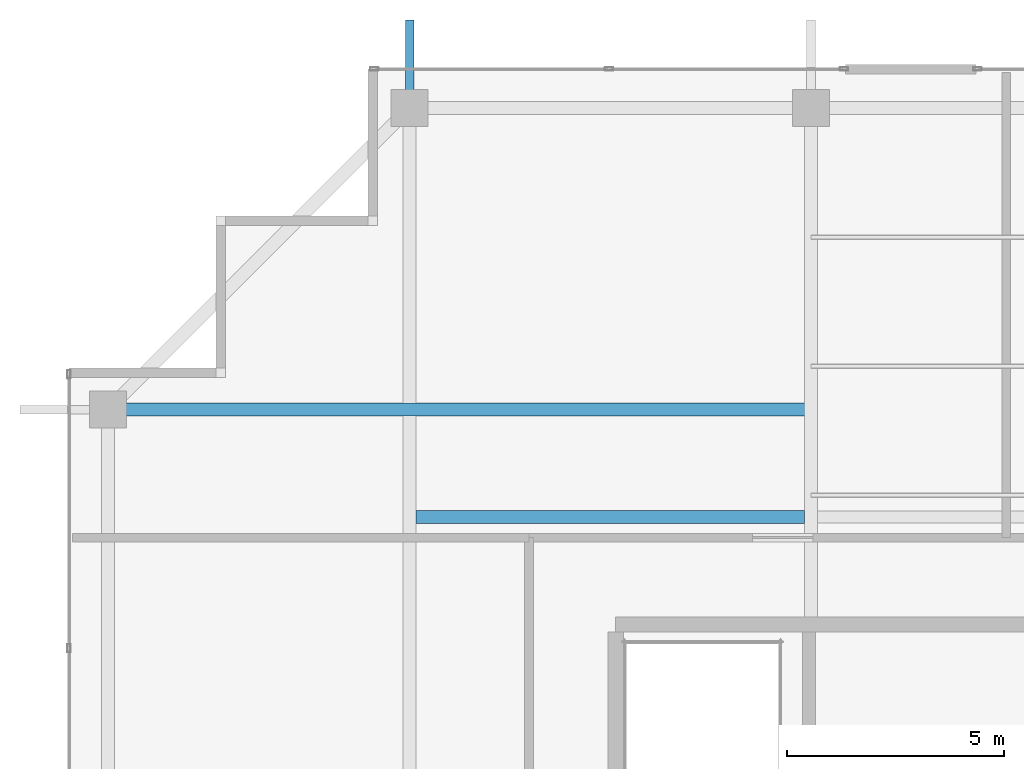
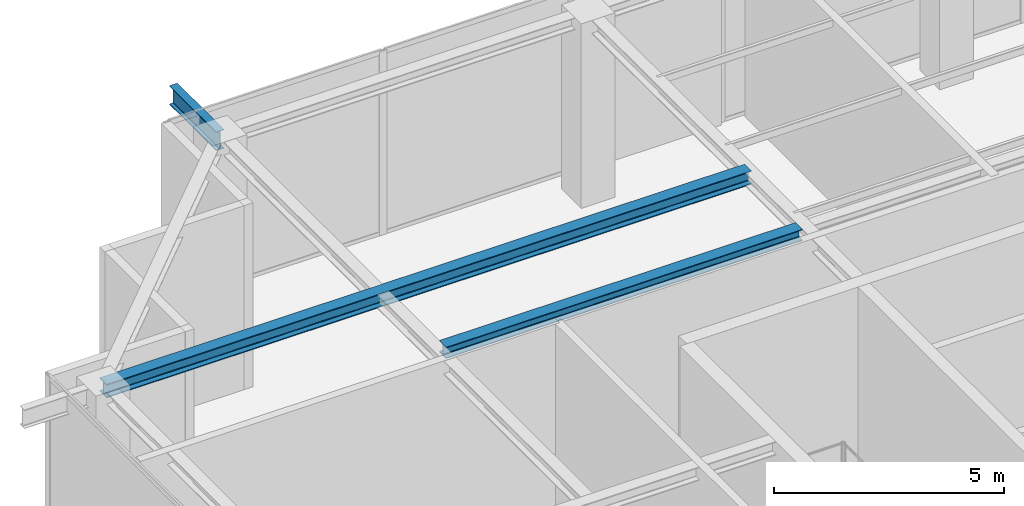
# One storey, part 18 of 27: 3 beams.
"""IFC4 building model written with IfcOpenShell, lengths in metres."""

from ifc_helpers import new_model, si_unit, direction, frame, origin, origin_2d, place, context, subcontext, project, spatial, i_section, extrude, source, transform, mapped, material, material_profile, profile_set, type_object, element, save


model = new_model("IFC4")

# Units and contexts
model_context = context("Model", 3, precision=1e-05, world=origin(), true_north=direction((0.0, 1.0)))
body_context = subcontext(model_context, "Body", "Model", "MODEL_VIEW")
ifc_project = project(units=[si_unit("LENGTHUNIT", "METRE"), si_unit("AREAUNIT", "SQUARE_METRE"), si_unit("VOLUMEUNIT", "CUBIC_METRE"), si_unit("PLANEANGLEUNIT", "RADIAN"), si_unit("MASSUNIT", "GRAM", prefix="KILO")], contexts=[model_context])

# Site, building, storey
site_placement = place(None, origin())
site = spatial("IfcSite", under=ifc_project, at=site_placement, CompositionType="ELEMENT")
building_placement = place(site_placement, origin())
building = spatial("IfcBuilding", under=site, at=building_placement, Name="Serunith Strait Residences", CompositionType="ELEMENT")
storey_placement = place(building_placement, frame((0.0, 0.0, 365.75)))
storey = spatial("IfcBuildingStorey", under=building, at=storey_placement, Name="L89", CompositionType="ELEMENT", Elevation=365.75)

# Beams
ifc_material = material(Name="Steel S355J2", Category="steel")
ifc_material_profile_1 = material_profile(ifc_material, i_section(OverallWidth=0.300048828125, OverallDepth=0.360107421875, WebThickness=0.012451171875, FlangeThickness=0.0224609375, FilletRadius=0.027099609375, at=origin_2d()), Name="HEB 360")
ifc_profile_set_1 = profile_set([ifc_material_profile_1], Name="Steel S355J2")
beam_type_1 = type_object("IfcBeamType", Name="BM-HEB360", PredefinedType="BEAM", material=ifc_profile_set_1)
shared_shape_1 = source(origin(), body_context, "Body", "SweptSolid", [
    extrude(i_section(OverallWidth=0.300048828125, OverallDepth=0.360107421875, WebThickness=0.012451171875, FlangeThickness=0.0224609375, FilletRadius=0.027099609375, at=origin_2d()), origin(), (0.0, 0.0, 1.0), 16.199951171875),
])
beam_1_placement = place(storey_placement, frame((27.89990234375, 38.550048828125, 4.717041015625), z_axis=(-1.0, 0.0, 0.0), x_axis=(0.0, -1.0, 0.0)))
element("IfcBeam", 1, at=beam_1_placement, inside=storey, type_object=beam_type_1, Name="L89 Orthogonal Corner Girder TC-W4", PredefinedType="BEAM", context=body_context, shape_type="MappedRepresentation", body=[
    mapped(shared_shape_1, transform((0.0, 0.0, 0.0), scale=1.0)),
])
ifc_material_profile_2 = material_profile(ifc_material, i_section(OverallWidth=0.300048828125, OverallDepth=0.300048828125, WebThickness=0.010986328125, FlangeThickness=0.01904296875, FilletRadius=0.027099609375, at=origin_2d()), Name="HEB 300")
ifc_profile_set_2 = profile_set([ifc_material_profile_2], Name="Steel S355J2")
beam_type_2 = type_object("IfcBeamType", Name="BM-HEB300", PredefinedType="JOIST", material=ifc_profile_set_2)
shared_shape_2 = source(origin(), body_context, "Body", "SweptSolid", [
    extrude(i_section(OverallWidth=0.300048828125, OverallDepth=0.300048828125, WebThickness=0.010986328125, FlangeThickness=0.01904296875, FilletRadius=0.027099609375, at=origin_2d()), origin(), (0.0, 0.0, 1.0), 8.949951171875),
])
beam_2_placement = place(storey_placement, frame((18.800048828125, 36.074951171875, 4.7470703125), z_axis=(1.0, 0.0, 0.0), x_axis=(0.0, 1.0, 0.0)))
element("IfcBeam", 2, at=beam_2_placement, inside=storey, type_object=beam_type_2, Name="L89 Composite Floor Joist 04", PredefinedType="JOIST", context=body_context, shape_type="MappedRepresentation", body=[
    mapped(shared_shape_2, transform((0.0, 0.0, 0.0), scale=1.0)),
])
ifc_material_profile_3 = material_profile(ifc_material, i_section(OverallWidth=0.199951171875, OverallDepth=0.5, WebThickness=0.01025390625, FlangeThickness=0.01611328125, FilletRadius=0.02099609375, at=origin_2d()), Name="IPE 500")
ifc_profile_set_3 = profile_set([ifc_material_profile_3], Name="Steel S355J2")
beam_type_3 = type_object("IfcBeamType", Name="BM-IPE500", PredefinedType="JOIST", material=ifc_profile_set_3)
shared_shape_3 = source(origin(), body_context, "Body", "SweptSolid", [
    extrude(i_section(OverallWidth=0.199951171875, OverallDepth=0.5, WebThickness=0.01025390625, FlangeThickness=0.01611328125, FilletRadius=0.02099609375, at=origin_2d()), origin(), (0.0, 0.0, 1.0), 2.030029296875),
])
beam_3_placement = place(storey_placement, frame((18.64990234375, 45.5, 4.64697265625), z_axis=(0.0, 1.0, 0.0), x_axis=(-1.0, 0.0, 0.0)))
element("IfcBeam", 3, at=beam_3_placement, inside=storey, type_object=beam_type_3, Name="Crown Canopy Cantilever Rafter TC-N1", PredefinedType="JOIST", context=body_context, shape_type="MappedRepresentation", body=[
    mapped(shared_shape_3, transform((0.0, 0.0, 0.0), scale=1.0)),
])

save(model, "model.ifc")
